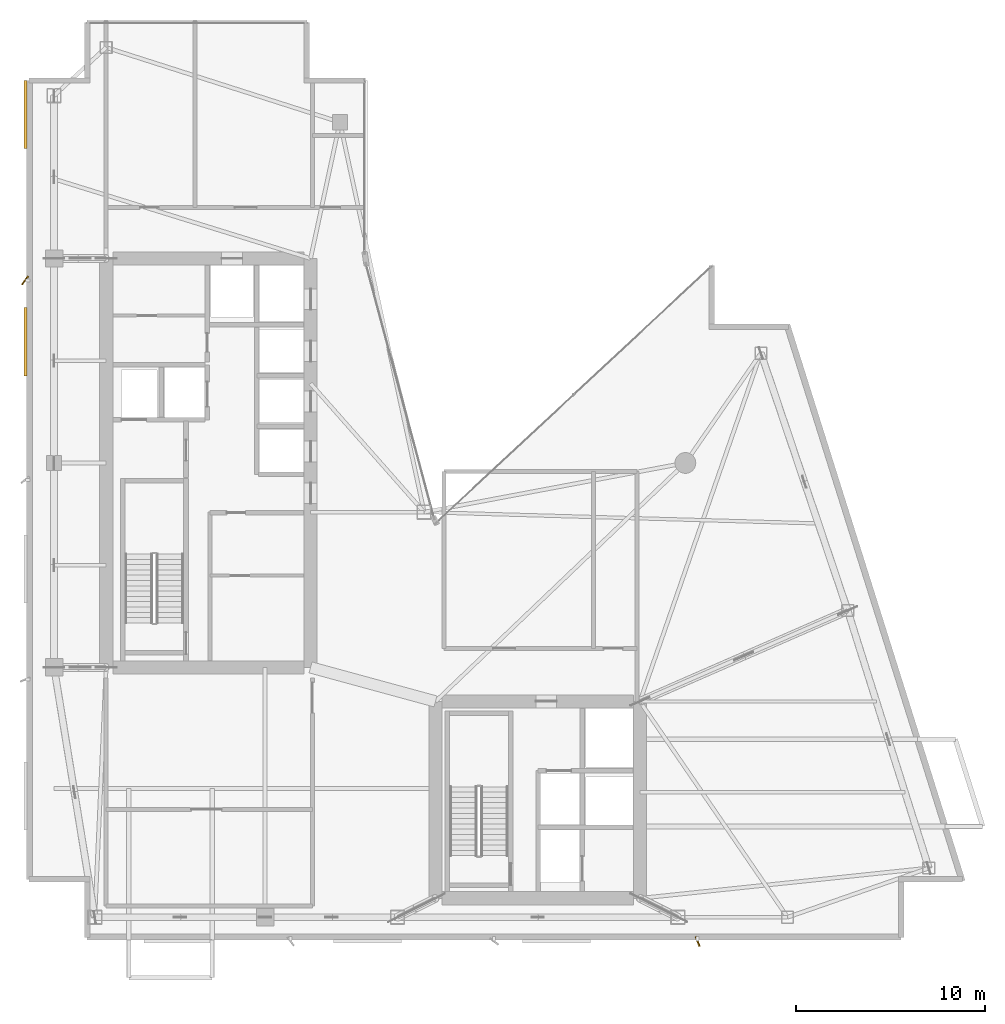
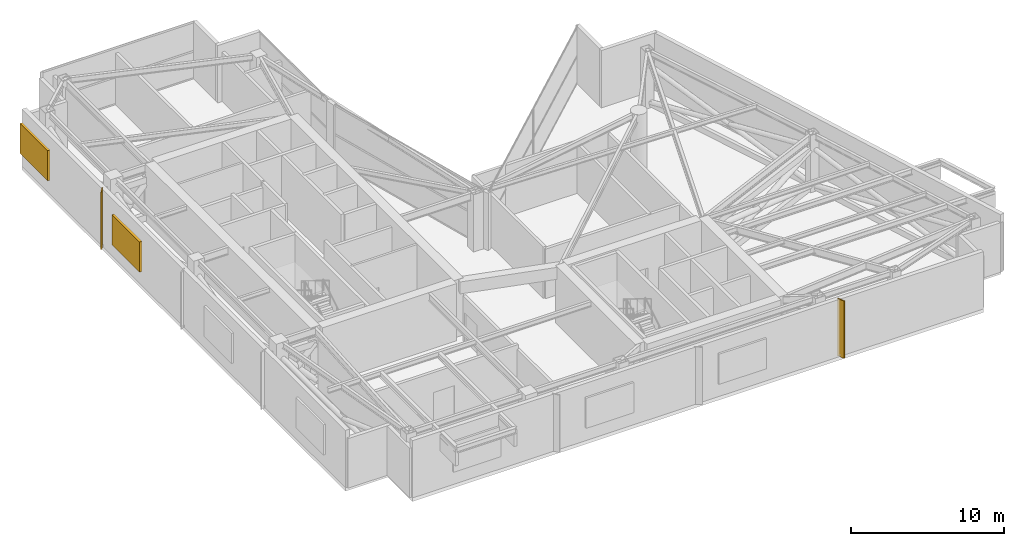
# One storey, part 16 of 16: 4 shading devices.
"""IFC4 building model written with IfcOpenShell, lengths in metres."""

import ifcopenshell
import ifcopenshell.guid

model = None  # the IFC model being written
_history = None  # IfcOwnerHistory: only IFC2X3 demands one
_inside = {}  # id of a spatial element -> (the spatial element, [elements in it])
_under = {}  # id of a project, library or spatial element -> (it, [spatial elements below it])
_declared = {}  # id of a project -> (the project, [libraries it declares])
_typed = {}  # id of a type object -> (the type object, [elements of that type])
_made_of = {}  # id of a material, layer set ... -> (it, [elements and type objects made of it])


def new_model(schema):
    """Start an empty IFC model of exactly this schema.

    Asked for "IFC4X3", IfcOpenShell would pick the latest addendum, in which some entities
    have other attributes; the version numbers below select the first issue.
    IFC2X3 requires an IfcOwnerHistory on every rooted entity: one is made here for all.
    """
    global model, _history
    if schema == "IFC4X3":
        model = ifcopenshell.file(schema_version=(4, 3, 0, 0))
    else:
        model = ifcopenshell.file(schema=schema)
    _inside.clear()
    _under.clear()
    _declared.clear()
    _typed.clear()
    _made_of.clear()
    _history = None
    if model.schema == "IFC2X3":
        org = make("IfcOrganization", Name="unknown")
        user = make(
            "IfcPersonAndOrganization",
            ThePerson=make("IfcPerson", FamilyName="unknown"),
            TheOrganization=org,
        )
        app = make(
            "IfcApplication",
            ApplicationDeveloper=org,
            Version="unknown",
            ApplicationFullName="unknown",
            ApplicationIdentifier="unknown",
        )
        _history = make(
            "IfcOwnerHistory",
            OwningUser=user,
            OwningApplication=app,
            ChangeAction="ADDED",
            CreationDate=0,
        )
    return model


def make(cls, **values):
    """One entity of the class cls with the attributes given. An attribute that is None is left unset."""
    return model.create_entity(
        cls, **{name: value for name, value in values.items() if value is not None}
    )


def rooted(cls, **values):
    """An entity with a GlobalId (a new one), such as an element, a storey or a relation."""
    return make(cls, GlobalId=ifcopenshell.guid.new(), OwnerHistory=_history, **values)


def si_unit(unit_type, name, prefix=None):
    """IfcSIUnit, for example si_unit("LENGTHUNIT", "METRE", prefix="MILLI")."""
    return make("IfcSIUnit", UnitType=unit_type, Prefix=prefix, Name=name)


def assignment(units):
    """IfcUnitAssignment: the units of a project."""
    return None if units is None else make("IfcUnitAssignment", Units=units)


def point(xyz):
    """IfcCartesianPoint."""
    return None if xyz is None else make("IfcCartesianPoint", Coordinates=xyz)


def direction(xyz):
    """IfcDirection."""
    return None if xyz is None else make("IfcDirection", DirectionRatios=xyz)


def frame(location, z_axis=None, x_axis=None):
    """IfcAxis2Placement3D, a coordinate frame: its origin and axes. An axis left out is left unset."""
    return make(
        "IfcAxis2Placement3D",
        Location=point(location),
        Axis=direction(z_axis),
        RefDirection=direction(x_axis),
    )


def frame_2d(location, x_axis=None):
    """IfcAxis2Placement2D, a coordinate frame in the plane: its origin and x axis."""
    return make(
        "IfcAxis2Placement2D", Location=point(location), RefDirection=direction(x_axis)
    )


def origin():
    """The frame at (0, 0, 0) with its axes left unset."""
    return frame((0.0, 0.0, 0.0))


def origin_2d():
    """The frame at (0, 0) in the plane with its x axis left unset."""
    return frame_2d((0.0, 0.0))


def place(relative_to, where):
    """IfcLocalPlacement: puts the frame where relative to a parent placement (None: the world)."""
    return make(
        "IfcLocalPlacement", PlacementRelTo=relative_to, RelativePlacement=where
    )


def context(
    kind, dimensions, precision=None, world=None, true_north=None, identifier=None
):
    """IfcGeometricRepresentationContext, for example the 3D "Model" context."""
    return make(
        "IfcGeometricRepresentationContext",
        ContextIdentifier=identifier,
        ContextType=kind,
        CoordinateSpaceDimension=dimensions,
        Precision=precision,
        WorldCoordinateSystem=world,
        TrueNorth=true_north,
    )


def subcontext(parent, identifier, kind, view, scale=None):
    """IfcGeometricRepresentationSubContext, for example "Body" below "Model"."""
    return make(
        "IfcGeometricRepresentationSubContext",
        ContextIdentifier=identifier,
        ContextType=kind,
        ParentContext=parent,
        TargetScale=scale,
        TargetView=view,
    )


def project(units=None, contexts=None):
    """IfcProject with its units and contexts."""
    return rooted(
        "IfcProject",
        Name="project",
        RepresentationContexts=contexts,
        UnitsInContext=assignment(units),
    )


def spatial(cls, under=None, at=None, **own):
    """A site, building, storey or space (cls), placed at a placement, below another one or the project."""
    s = rooted(cls, ObjectPlacement=at, **own)
    if under is not None:
        _under.setdefault(under.id(), (under, []))[1].append(s)
    return s


def profile(cls, at=None, kind="AREA", **sizes):
    """A parametric profile (cls). Its sizes go by their IFC names, for example OverallWidth=200.0."""
    return make(cls, ProfileType=kind, Position=at, **sizes)


def rectangle(**sizes):
    """IfcRectangleProfileDef."""
    return profile("IfcRectangleProfileDef", **sizes)


def extrude(swept, where, along, depth):
    """IfcExtrudedAreaSolid: the profile swept, set in the frame where, extruded along a direction by depth."""
    return make(
        "IfcExtrudedAreaSolid",
        SweptArea=swept,
        Position=where,
        ExtrudedDirection=direction(along),
        Depth=depth,
    )


def shape(context_of_items, identifier, shape_type, items):
    """IfcShapeRepresentation: the items that make up one representation, for example the "Body"."""
    return make(
        "IfcShapeRepresentation",
        ContextOfItems=context_of_items,
        RepresentationIdentifier=identifier,
        RepresentationType=shape_type,
        Items=items,
    )


def material(Name=None, Category=None):
    """IfcMaterial."""
    return make("IfcMaterial", Name=Name, Category=Category)


def made_of(thing, what):
    """Note that an element or type object is made of a material, layer set ...; save() writes the relation."""
    if what is not None:
        _made_of.setdefault(what.id(), (what, []))[1].append(thing)
    return thing


def type_object(cls, material=None, **own):
    """A type object (cls), such as IfcWallType, which elements share."""
    return made_of(rooted(cls, **own), material)


def element(
    cls,
    number,
    at=None,
    inside=None,
    cuts=None,
    type_object=None,
    material=None,
    context=None,
    identifier="Body",
    shape_type=None,
    held_by="IfcProductDefinitionShape",
    body=None,
    shapes=None,
    **own,
):
    """One element of the class cls, such as IfcWall. Its Tag is "e" and its number.

    at: its placement. inside: the storey or other place that contains it. cuts: it is an
    opening in that element (IfcRelVoidsElement). A single representation is given by context,
    identifier, shape_type and body (its items); several are given by shapes. held_by: the class
    of the entity that holds the representations. save() writes the other relations.
    """
    e = rooted(cls, Tag="e%d" % number, ObjectPlacement=at, **own)
    if body is not None:
        shapes = [shape(context, identifier, shape_type, body)]
    if shapes is not None:
        e.Representation = make(held_by, Representations=shapes)
    if inside is not None:
        _inside.setdefault(inside.id(), (inside, []))[1].append(e)
    if cuts is not None:
        rooted(
            "IfcRelVoidsElement", RelatingBuildingElement=cuts, RelatedOpeningElement=e
        )
    if type_object is not None:
        _typed.setdefault(type_object.id(), (type_object, []))[1].append(e)
    return made_of(e, material)


def aggregate(whole, parts):
    """IfcRelAggregates: a whole, such as a stair, and the parts it consists of."""
    return rooted("IfcRelAggregates", RelatingObject=whole, RelatedObjects=parts)


def save(model, path):
    """Write the relations noted so far, then the file.

    IfcRelAggregates (storeys below a building ...), IfcRelContainedInSpatialStructure (elements
    in a storey), IfcRelDefinesByType, IfcRelAssociatesMaterial and IfcRelDeclares: one each for
    every whole, place, type object, material and project.
    """
    for whole, parts in _under.values():
        aggregate(whole, parts)
    for where, things in _inside.values():
        rooted(
            "IfcRelContainedInSpatialStructure",
            RelatedElements=things,
            RelatingStructure=where,
        )
    for kind, things in _typed.values():
        rooted("IfcRelDefinesByType", RelatedObjects=things, RelatingType=kind)
    for what, things in _made_of.values():
        rooted("IfcRelAssociatesMaterial", RelatedObjects=things, RelatingMaterial=what)
    for by, libraries in _declared.values():
        rooted("IfcRelDeclares", RelatingContext=by, RelatedDefinitions=libraries)
    model.write(path)


model = new_model("IFC4")

# Units and contexts
model_context = context("Model", 3, precision=1e-05, world=origin(), true_north=direction((0.0, 1.0)))
body_context = subcontext(model_context, "Body", "Model", "MODEL_VIEW")
ifc_project = project(units=[si_unit("LENGTHUNIT", "METRE"), si_unit("AREAUNIT", "SQUARE_METRE"), si_unit("VOLUMEUNIT", "CUBIC_METRE"), si_unit("PLANEANGLEUNIT", "RADIAN"), si_unit("MASSUNIT", "GRAM", prefix="KILO")], contexts=[model_context])

# Site, building, storey
site_placement = place(None, origin())
site = spatial("IfcSite", under=ifc_project, at=site_placement, CompositionType="ELEMENT")
building_placement = place(site_placement, origin())
building = spatial("IfcBuilding", under=site, at=building_placement, Name="Calvorn Quay Hotel", CompositionType="ELEMENT")
storey_placement = place(building_placement, frame((0.0, 0.0, 234.5)))
storey = spatial("IfcBuildingStorey", under=building, at=storey_placement, Name="L58", CompositionType="ELEMENT", Elevation=234.5)

# Shading devices
ifc_material_1 = material(Name="Champagne Bronze Anodised Aluminium 6063-T6", Category="aluminium")
shading_device_type_1 = type_object("IfcShadingDeviceType", Name="SHD-FIN-A1", PredefinedType="USERDEFINED", material=ifc_material_1)
shading_device_1_placement = place(storey_placement, frame((35.449951171875, 2.320068359375, 0.0), z_axis=(0.0, 0.0, 1.0), x_axis=(-0.374606593416, 0.927183854567, 0.0)))
element("IfcShadingDevice", 1, at=shading_device_1_placement, inside=storey, type_object=shading_device_type_1, Name="Diagonal Sun-Shading Fin L58-S03", ObjectType="FIN", PredefinedType="USERDEFINED", context=body_context, shape_type="SweptSolid", body=[
    extrude(rectangle(XDim=0.550048828125, YDim=0.080078125, at=origin_2d()), origin(), (0.0, 0.0, 1.0), 4.56005859375),
])
ifc_material_2 = material(Name="Champagne Bronze Anodised Aluminium 6063-T6", Category="aluminium")
shading_device_type_2 = type_object("IfcShadingDeviceType", Name="SHD-FIN-A3", PredefinedType="USERDEFINED", material=ifc_material_2)
shading_device_2_placement = place(storey_placement, frame((-0.080078125, 37.25, 0.0), z_axis=(0.0, 0.0, 1.0), x_axis=(0.587785252292, 0.809016994375, 0.0)))
element("IfcShadingDevice", 2, at=shading_device_2_placement, inside=storey, type_object=shading_device_type_2, Name="Diagonal Sun-Shading Fin L58-W03", ObjectType="FIN", PredefinedType="USERDEFINED", context=body_context, shape_type="SweptSolid", body=[
    extrude(rectangle(XDim=0.550048828125, YDim=0.080078125, at=origin_2d()), origin(), (0.0, 0.0, 1.0), 4.56005859375),
])
ifc_material_3 = material(Name="Anodised Aluminium 6063-T6", Category="aluminium")
shading_device_type_3 = type_object("IfcShadingDeviceType", Name="SHD-MECH-LOUVRE", PredefinedType="USERDEFINED", material=ifc_material_3)
for number, where, z_axis, x_axis, name in (
    (3, (-0.06005859375, 34.0, 1.080078125), (0.0, 0.0, 1.0), (1.0, 0.0, 0.0), "Refuge Stormproof Intake Louvre L58-W3"),
    (4, (-0.06005859375, 46.0, 1.080078125), (0.0, 0.0, 1.0), (1.0, 0.0, 0.0), "Refuge Stormproof Intake Louvre L58-W4"),
):
    element("IfcShadingDevice", number, at=place(storey_placement, frame(where, z_axis=z_axis, x_axis=x_axis)), inside=storey, type_object=shading_device_type_3, Name=name, ObjectType="LOUVRE", PredefinedType="USERDEFINED", context=body_context, shape_type="SweptSolid", body=[
        extrude(rectangle(XDim=0.179931640625, YDim=3.60009765625, at=origin_2d()), origin(), (0.0, 0.0, 1.0), 2.39990234375),
    ])

save(model, "model.ifc")
